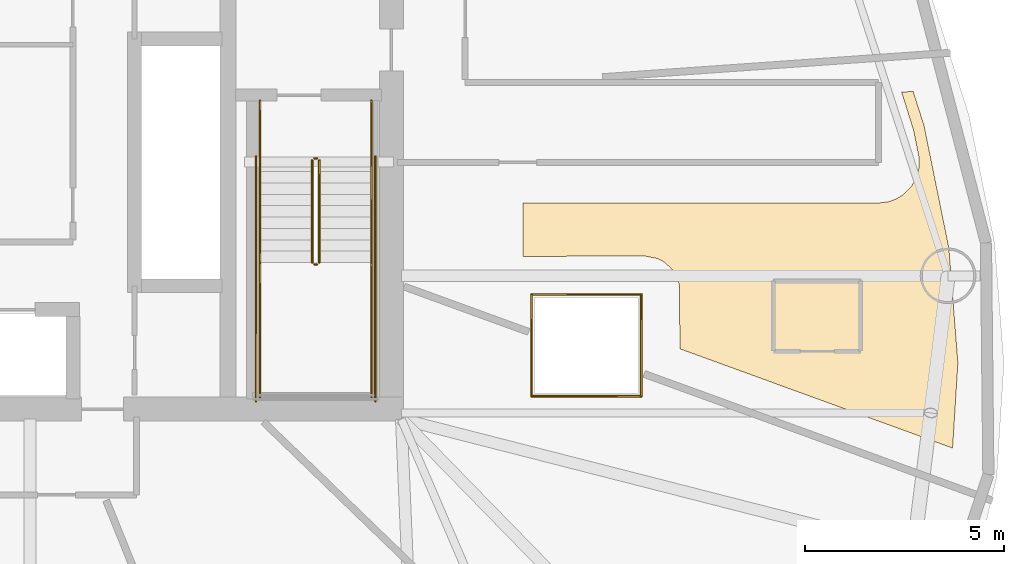
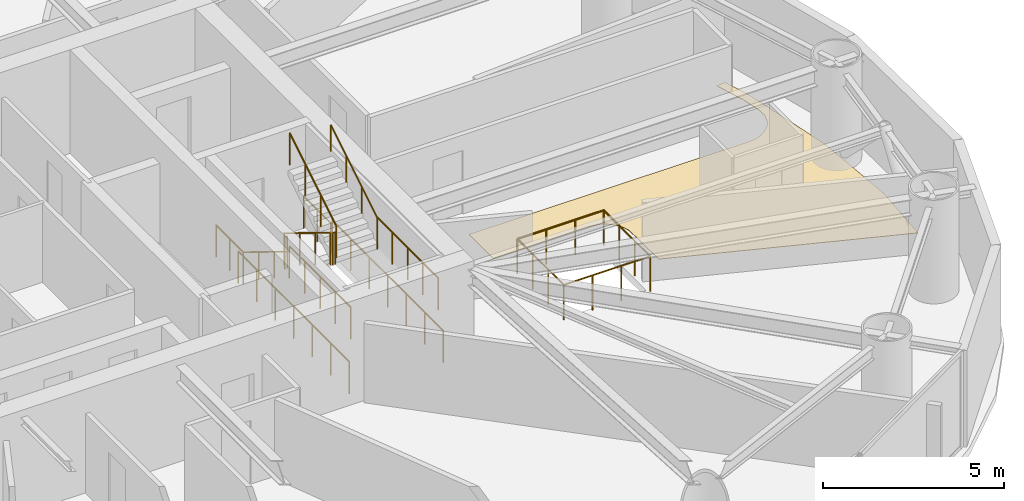
# One storey, part 23 of 24: 16 railings, 1 covering.
"""IFC4 building model written with IfcOpenShell, lengths in metres."""

from ifc_helpers import new_model, si_unit, direction, frame, origin, origin_2d, place, context, subcontext, project, spatial, polyline, circle, outline, extrude, material, layer, layer_set, type_object, element, save


model = new_model("IFC4")

# Units and contexts
model_context = context("Model", 3, precision=1e-05, world=origin(), true_north=direction((0.0, 1.0)))
body_context = subcontext(model_context, "Body", "Model", "MODEL_VIEW")
ifc_project = project(units=[si_unit("LENGTHUNIT", "METRE"), si_unit("AREAUNIT", "SQUARE_METRE"), si_unit("VOLUMEUNIT", "CUBIC_METRE"), si_unit("PLANEANGLEUNIT", "RADIAN"), si_unit("MASSUNIT", "GRAM", prefix="KILO")], contexts=[model_context])

# Site, building, storey
site_placement = place(None, origin())
site = spatial("IfcSite", under=ifc_project, at=site_placement, CompositionType="ELEMENT")
building_placement = place(site_placement, origin())
building = spatial("IfcBuilding", under=site, at=building_placement, Name="Bramvorn Convention Spire", CompositionType="ELEMENT")
storey_placement = place(building_placement, frame((0.0, 0.0, 148.300048828125)))
storey = spatial("IfcBuildingStorey", under=building, at=storey_placement, Name="L37", CompositionType="ELEMENT", Elevation=148.300048828125)

# Covering
ifc_material_1 = material(Name="Solution-Dyed Wool Broadloom Hospitality Carpet", Category="textile")
ifc_layer = layer(ifc_material_1, 0.014892578125)
ifc_layer_set = layer_set([ifc_layer], Name="Solution-Dyed Wool Broadloom Hospitality Carpet - FLR-CARPET-15")
covering_type = type_object("IfcCoveringType", Name="FLR-CARPET-15", PredefinedType="FLOORING", material=ifc_layer_set)
covering_placement = place(storey_placement, origin())
element("IfcCovering", 1, at=covering_placement, inside=storey, type_object=covering_type, Name="Hotel Suite 3715 wool broadloom carpet", PredefinedType="FLOORING", context=body_context, shape_type="SweptSolid", body=[
    extrude(outline(polyline([(55.35009765625, 22.64990234375), (55.6943359375, 22.58154296875), (55.85009765625, 22.498291015625), (56.045654296875, 22.321044921875), (56.181396484375, 22.094482421875), (56.232666015625, 21.925537109375), (56.25, 20.315185546875), (63.0966796875, 17.8232421875), (63.230712890625, 19.9609375), (63.002685546875, 22.851318359375), (62.380615234375, 25.919189453125), (62.105712890625, 26.783447265625), (61.818115234375, 26.76318359375), (62.120361328125, 25.794677734375), (62.249755859375, 25.1474609375), (62.2490234375, 24.847412109375), (62.166015625, 24.571533203125), (62.0576171875, 24.389404296875), (61.85400390625, 24.185302734375), (61.672119140625, 24.075927734375), (61.483154296875, 24.009521484375), (61.24072265625, 23.97998046875), (52.300048828125, 23.97998046875), (52.300048828125, 22.636474609375), (55.35009765625, 22.64990234375)])), origin(), (0.0, 0.0, 1.0), 0.014892578125),
])

# Railings
ifc_material_2 = material(Name="Warm Bronze Perforated Metal & Glass Balustrade", Category="glass")
railing_type_1 = type_object("IfcRailingType", Name="RL-POD-BALUSTRADE-1200", PredefinedType="BALUSTRADE", material=ifc_material_2)
railing_1_placement = place(storey_placement, frame((52.52001953125, 19.1201171875, 0.0)))
element("IfcRailing", 2, at=railing_1_placement, inside=storey, type_object=railing_type_1, Name="L37 Feature atrium void balustrade 1", PredefinedType="BALUSTRADE", context=body_context, shape_type="SweptSolid", body=[
    extrude(circle(Radius=0.02392578125, at=origin_2d()), frame((0.0, 0.0, 1.17578125), z_axis=(1.0, 0.0, 0.0), x_axis=(0.0, 1.0, 0.0)), (0.0, 0.0, 1.0), 2.760009765625),
    extrude(circle(Radius=0.02099609375, at=origin_2d()), origin(), (0.0, 0.0, 1.0), 1.15185546875),
    extrude(circle(Radius=0.02099609375, at=origin_2d()), frame((0.919921875, 0.0, 0.0)), (0.0, 0.0, 1.0), 1.15185546875),
    extrude(circle(Radius=0.02099609375, at=origin_2d()), frame((1.840087890625, 0.0, 0.0)), (0.0, 0.0, 1.0), 1.15185546875),
    extrude(circle(Radius=0.02099609375, at=origin_2d()), frame((2.760009765625, 0.0, 0.0)), (0.0, 0.0, 1.0), 1.15185546875),
])
railing_2_placement = place(storey_placement, frame((55.280029296875, 19.1201171875, 0.0)))
element("IfcRailing", 3, at=railing_2_placement, inside=storey, type_object=railing_type_1, Name="L37 Feature atrium void balustrade 2", PredefinedType="BALUSTRADE", context=body_context, shape_type="SweptSolid", body=[
    extrude(circle(Radius=0.02392578125, at=origin_2d()), frame((0.0, 0.0, 1.17578125), z_axis=(0.0, 1.0, 0.0), x_axis=(-1.0, 0.0, 0.0)), (0.0, 0.0, 1.0), 2.559814453125),
    extrude(circle(Radius=0.02099609375, at=origin_2d()), origin(), (0.0, 0.0, 1.0), 1.15185546875),
    extrude(circle(Radius=0.02099609375, at=origin_2d()), frame((0.0, 0.853271484375, 0.0)), (0.0, 0.0, 1.0), 1.15185546875),
    extrude(circle(Radius=0.02099609375, at=origin_2d()), frame((0.0, 1.70654296875, 0.0)), (0.0, 0.0, 1.0), 1.15185546875),
    extrude(circle(Radius=0.02099609375, at=origin_2d()), frame((0.0, 2.559814453125, 0.0)), (0.0, 0.0, 1.0), 1.15185546875),
])
railing_3_placement = place(storey_placement, frame((55.280029296875, 21.679931640625, 0.0)))
element("IfcRailing", 4, at=railing_3_placement, inside=storey, type_object=railing_type_1, Name="L37 Feature atrium void balustrade 3", PredefinedType="BALUSTRADE", context=body_context, shape_type="SweptSolid", body=[
    extrude(circle(Radius=0.02392578125, at=origin_2d()), frame((0.0, 0.0, 1.17578125), z_axis=(-1.0, 0.0, 0.0), x_axis=(0.0, -1.0, 0.0)), (0.0, 0.0, 1.0), 2.760009765625),
    extrude(circle(Radius=0.02099609375, at=origin_2d()), origin(), (0.0, 0.0, 1.0), 1.15185546875),
    extrude(circle(Radius=0.02099609375, at=origin_2d()), frame((-0.919921875, 0.0, 0.0)), (0.0, 0.0, 1.0), 1.15185546875),
    extrude(circle(Radius=0.02099609375, at=origin_2d()), frame((-1.840087890625, 0.0, 0.0)), (0.0, 0.0, 1.0), 1.15185546875),
    extrude(circle(Radius=0.02099609375, at=origin_2d()), frame((-2.760009765625, 0.0, 0.0)), (0.0, 0.0, 1.0), 1.15185546875),
])
railing_4_placement = place(storey_placement, frame((52.52001953125, 21.679931640625, 0.0)))
element("IfcRailing", 5, at=railing_4_placement, inside=storey, type_object=railing_type_1, Name="L37 Feature atrium void balustrade 4", PredefinedType="BALUSTRADE", context=body_context, shape_type="SweptSolid", body=[
    extrude(circle(Radius=0.02392578125, at=origin_2d()), frame((0.0, 0.0, 1.17578125), z_axis=(0.0, -1.0, 0.0), x_axis=(1.0, 0.0, 0.0)), (0.0, 0.0, 1.0), 2.559814453125),
    extrude(circle(Radius=0.02099609375, at=origin_2d()), origin(), (0.0, 0.0, 1.0), 1.15185546875),
    extrude(circle(Radius=0.02099609375, at=origin_2d()), frame((0.0, -0.853271484375, 0.0)), (0.0, 0.0, 1.0), 1.15185546875),
    extrude(circle(Radius=0.02099609375, at=origin_2d()), frame((0.0, -1.70654296875, 0.0)), (0.0, 0.0, 1.0), 1.15185546875),
    extrude(circle(Radius=0.02099609375, at=origin_2d()), frame((0.0, -2.559814453125, 0.0)), (0.0, 0.0, 1.0), 1.15185546875),
])
ifc_material_3 = material(Name="Painted Steel Balustrade & Guardrail", Category="steel")
railing_type_2 = type_object("IfcRailingType", Name="RL-STAIR-GUARD-1100", PredefinedType="GUARDRAIL", material=ifc_material_3)
railing_5_placement = place(storey_placement, frame((47.010009765625, 25.050048828125, 0.175048828125)))
element("IfcRailing", 6, at=railing_5_placement, inside=storey, type_object=railing_type_2, Name="L37 ST2 stair guard 1", PredefinedType="GUARDRAIL", context=body_context, shape_type="SweptSolid", body=[
    extrude(circle(Radius=0.02392578125, at=origin_2d()), frame((0.0, 0.0, 1.076171875), z_axis=(0.0, -0.852173129349, 0.523259933127), x_axis=(1.0, 0.0, 0.0)), (0.0, 0.0, 1.0), 3.009765625),
    extrude(circle(Radius=0.02099609375, at=origin_2d()), origin(), (0.0, 0.0, 1.0), 1.052001953125),
    extrude(circle(Radius=0.02099609375, at=origin_2d()), frame((0.0, -0.85498046875, 0.52490234375)), (0.0, 0.0, 1.0), 1.052001953125),
    extrude(circle(Radius=0.02099609375, at=origin_2d()), frame((0.0, -1.7099609375, 1.050048828125)), (0.0, 0.0, 1.0), 1.052001953125),
    extrude(circle(Radius=0.02099609375, at=origin_2d()), frame((0.0, -2.56494140625, 1.574951171875)), (0.0, 0.0, 1.0), 1.052001953125),
])
railing_6_placement = place(storey_placement, frame((47.06005859375, 22.43505859375, 1.75)))
element("IfcRailing", 7, at=railing_6_placement, inside=storey, type_object=railing_type_2, Name="L37 ST2 stair guard 2", PredefinedType="GUARDRAIL", context=body_context, shape_type="SweptSolid", body=[
    extrude(circle(Radius=0.02392578125, at=origin_2d()), frame((0.0, 0.0, 1.076171875), z_axis=(1.0, 0.0, 0.0), x_axis=(0.0, 1.0, 0.0)), (0.0, 0.0, 1.0), 0.079833984375),
    extrude(circle(Radius=0.02099609375, at=origin_2d()), origin(), (0.0, 0.0, 1.0), 1.052001953125),
    extrude(circle(Radius=0.02099609375, at=origin_2d()), frame((0.079833984375, 0.0, 0.0)), (0.0, 0.0, 1.0), 1.052001953125),
])
for number, where, name in (
    (8, (45.699951171875, 22.485107421875, 1.75), "L37 ST2 stair guard 3"),
    (9, (48.5, 22.485107421875, 1.75), "L37 ST2 stair guard 4"),
):
    element("IfcRailing", number, at=place(storey_placement, frame(where)), inside=storey, type_object=railing_type_2, Name=name, PredefinedType="GUARDRAIL", context=body_context, shape_type="SweptSolid", body=[
        extrude(circle(Radius=0.02392578125, at=origin_2d()), frame((0.0, 0.0, 1.076171875), z_axis=(0.0, -1.0, 0.0), x_axis=(1.0, 0.0, 0.0)), (0.0, 0.0, 1.0), 3.385009765625),
        extrude(circle(Radius=0.02099609375, at=origin_2d()), origin(), (0.0, 0.0, 1.0), 1.052001953125),
        extrude(circle(Radius=0.02099609375, at=origin_2d()), frame((0.0, -0.84619140625, 0.0)), (0.0, 0.0, 1.0), 1.052001953125),
        extrude(circle(Radius=0.02099609375, at=origin_2d()), frame((0.0, -1.6923828125, 0.0)), (0.0, 0.0, 1.0), 1.052001953125),
        extrude(circle(Radius=0.02099609375, at=origin_2d()), frame((0.0, -2.538818359375, 0.0)), (0.0, 0.0, 1.0), 1.052001953125),
        extrude(circle(Radius=0.02099609375, at=origin_2d()), frame((0.0, -3.385009765625, 0.0)), (0.0, 0.0, 1.0), 1.052001953125),
    ])
railing_7_placement = place(storey_placement, frame((47.18994140625, 22.485107421875, 1.925048828125)))
element("IfcRailing", 10, at=railing_7_placement, inside=storey, type_object=railing_type_2, Name="L37 ST2 stair guard 6", PredefinedType="GUARDRAIL", context=body_context, shape_type="SweptSolid", body=[
    extrude(circle(Radius=0.02392578125, at=origin_2d()), frame((0.0, 0.0, 1.076171875), z_axis=(0.0, 0.852173129349, 0.523259933127), x_axis=(-1.0, 0.0, 0.0)), (0.0, 0.0, 1.0), 3.009765625),
    extrude(circle(Radius=0.02099609375, at=origin_2d()), origin(), (0.0, 0.0, 1.0), 1.052001953125),
    extrude(circle(Radius=0.02099609375, at=origin_2d()), frame((0.0, 0.85498046875, 0.52490234375)), (0.0, 0.0, 1.0), 1.052001953125),
    extrude(circle(Radius=0.02099609375, at=origin_2d()), frame((0.0, 1.7099609375, 1.050048828125)), (0.0, 0.0, 1.0), 1.052001953125),
    extrude(circle(Radius=0.02099609375, at=origin_2d()), frame((0.0, 2.56494140625, 1.574951171875)), (0.0, 0.0, 1.0), 1.052001953125),
])
railing_8_placement = place(storey_placement, frame((47.06005859375, 25.10009765625, 0.0)))
element("IfcRailing", 11, at=railing_8_placement, inside=storey, type_object=railing_type_2, Name="L37 ST2 stair guard 7", PredefinedType="GUARDRAIL", context=body_context, shape_type="SweptSolid", body=[
    extrude(circle(Radius=0.02392578125, at=origin_2d()), frame((0.0, 0.0, 1.076171875), z_axis=(1.0, 0.0, 0.0), x_axis=(0.0, 1.0, 0.0)), (0.0, 0.0, 1.0), 0.079833984375),
    extrude(circle(Radius=0.02099609375, at=origin_2d()), origin(), (0.0, 0.0, 1.0), 1.052001953125),
    extrude(circle(Radius=0.02099609375, at=origin_2d()), frame((0.079833984375, 0.0, 0.0)), (0.0, 0.0, 1.0), 1.052001953125),
])
for number, where, name in (
    (12, (45.699951171875, 26.550048828125, 0.0), "L37 ST2 stair guard 8"),
    (13, (48.5, 26.550048828125, 0.0), "L37 ST2 stair guard 9"),
):
    element("IfcRailing", number, at=place(storey_placement, frame(where)), inside=storey, type_object=railing_type_2, Name=name, PredefinedType="GUARDRAIL", context=body_context, shape_type="SweptSolid", body=[
        extrude(circle(Radius=0.02392578125, at=origin_2d()), frame((0.0, 0.0, 1.076171875), z_axis=(0.0, -1.0, 0.0), x_axis=(1.0, 0.0, 0.0)), (0.0, 0.0, 1.0), 1.5),
        extrude(circle(Radius=0.02099609375, at=origin_2d()), origin(), (0.0, 0.0, 1.0), 1.052001953125),
        extrude(circle(Radius=0.02099609375, at=origin_2d()), frame((0.0, -0.75, 0.0)), (0.0, 0.0, 1.0), 1.052001953125),
        extrude(circle(Radius=0.02099609375, at=origin_2d()), frame((0.0, -1.5, 0.0)), (0.0, 0.0, 1.0), 1.052001953125),
    ])
for number, where, name in (
    (14, (45.60009765625, 25.14990234375, 0.0), "L37 ST2 stair guard 10"),
    (15, (48.60009765625, 25.14990234375, 0.0), "L37 ST2 stair guard 11"),
):
    element("IfcRailing", number, at=place(storey_placement, frame(where)), inside=storey, type_object=railing_type_2, Name=name, PredefinedType="GUARDRAIL", context=body_context, shape_type="SweptSolid", body=[
        extrude(circle(Radius=0.02392578125, at=origin_2d()), frame((0.0, 0.0, 1.076171875), z_axis=(0.0, -1.0, 0.0), x_axis=(1.0, 0.0, 0.0)), (0.0, 0.0, 1.0), 6.14990234375),
        extrude(circle(Radius=0.02099609375, at=origin_2d()), origin(), (0.0, 0.0, 1.0), 1.052001953125),
        extrude(circle(Radius=0.02099609375, at=origin_2d()), frame((0.0, -1.02490234375, 0.0)), (0.0, 0.0, 1.0), 1.052001953125),
        extrude(circle(Radius=0.02099609375, at=origin_2d()), frame((0.0, -2.050048828125, 0.0)), (0.0, 0.0, 1.0), 1.052001953125),
        extrude(circle(Radius=0.02099609375, at=origin_2d()), frame((0.0, -3.074951171875, 0.0)), (0.0, 0.0, 1.0), 1.052001953125),
        extrude(circle(Radius=0.02099609375, at=origin_2d()), frame((0.0, -4.099853515625, 0.0)), (0.0, 0.0, 1.0), 1.052001953125),
        extrude(circle(Radius=0.02099609375, at=origin_2d()), frame((0.0, -5.125, 0.0)), (0.0, 0.0, 1.0), 1.052001953125),
        extrude(circle(Radius=0.02099609375, at=origin_2d()), frame((0.0, -6.14990234375, 0.0)), (0.0, 0.0, 1.0), 1.052001953125),
    ])
ifc_material_4 = material(Name="Brushed Bronze Tubular Handrail", Category="aluminium")
railing_type_3 = type_object("IfcRailingType", Name="RL-STAIR-HR-920", PredefinedType="HANDRAIL", material=ifc_material_4)
railing_9_placement = place(storey_placement, frame((45.699951171875, 25.050048828125, 0.175048828125)))
element("IfcRailing", 16, at=railing_9_placement, inside=storey, type_object=railing_type_3, Name="L37 ST2 stair handrail 1", PredefinedType="HANDRAIL", context=body_context, shape_type="SweptSolid", body=[
    extrude(circle(Radius=0.02392578125, at=origin_2d()), frame((0.0, 0.0, 0.89599609375), z_axis=(0.0, -0.852173129349, 0.523259933127), x_axis=(1.0, 0.0, 0.0)), (0.0, 0.0, 1.0), 3.009765625),
    extrude(circle(Radius=0.02099609375, at=origin_2d()), origin(), (0.0, 0.0, 1.0), 0.871826171875),
    extrude(circle(Radius=0.02099609375, at=origin_2d()), frame((0.0, -0.85498046875, 0.52490234375)), (0.0, 0.0, 1.0), 0.871826171875),
    extrude(circle(Radius=0.02099609375, at=origin_2d()), frame((0.0, -1.7099609375, 1.050048828125)), (0.0, 0.0, 1.0), 0.871826171875),
    extrude(circle(Radius=0.02099609375, at=origin_2d()), frame((0.0, -2.56494140625, 1.574951171875)), (0.0, 0.0, 1.0), 0.871826171875),
])
railing_10_placement = place(storey_placement, frame((48.5, 22.485107421875, 1.925048828125)))
element("IfcRailing", 17, at=railing_10_placement, inside=storey, type_object=railing_type_3, Name="L37 ST2 stair handrail 2", PredefinedType="HANDRAIL", context=body_context, shape_type="SweptSolid", body=[
    extrude(circle(Radius=0.02392578125, at=origin_2d()), frame((0.0, 0.0, 0.89599609375), z_axis=(0.0, 0.852173129349, 0.523259933127), x_axis=(-1.0, 0.0, 0.0)), (0.0, 0.0, 1.0), 3.009765625),
    extrude(circle(Radius=0.02099609375, at=origin_2d()), origin(), (0.0, 0.0, 1.0), 0.871826171875),
    extrude(circle(Radius=0.02099609375, at=origin_2d()), frame((0.0, 0.85498046875, 0.52490234375)), (0.0, 0.0, 1.0), 0.871826171875),
    extrude(circle(Radius=0.02099609375, at=origin_2d()), frame((0.0, 1.7099609375, 1.050048828125)), (0.0, 0.0, 1.0), 0.871826171875),
    extrude(circle(Radius=0.02099609375, at=origin_2d()), frame((0.0, 2.56494140625, 1.574951171875)), (0.0, 0.0, 1.0), 0.871826171875),
])

save(model, "model.ifc")
